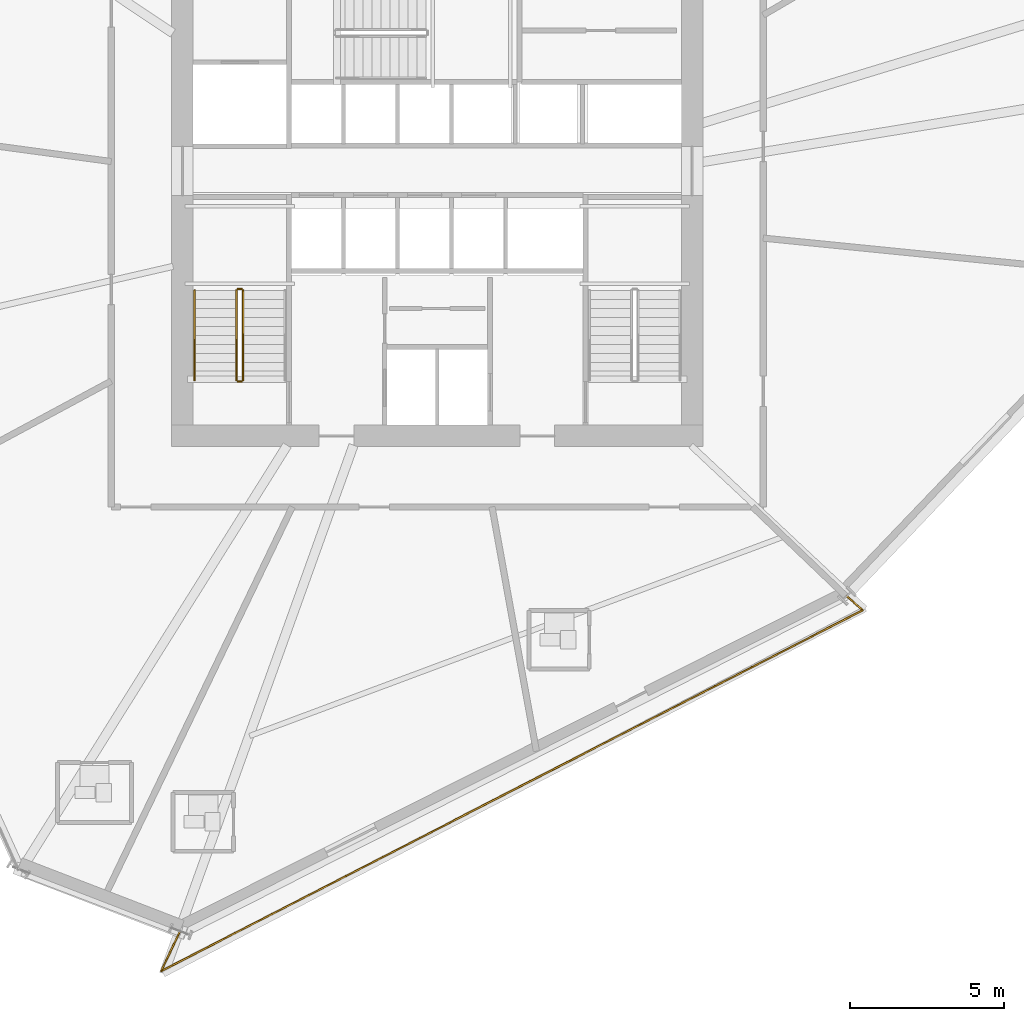
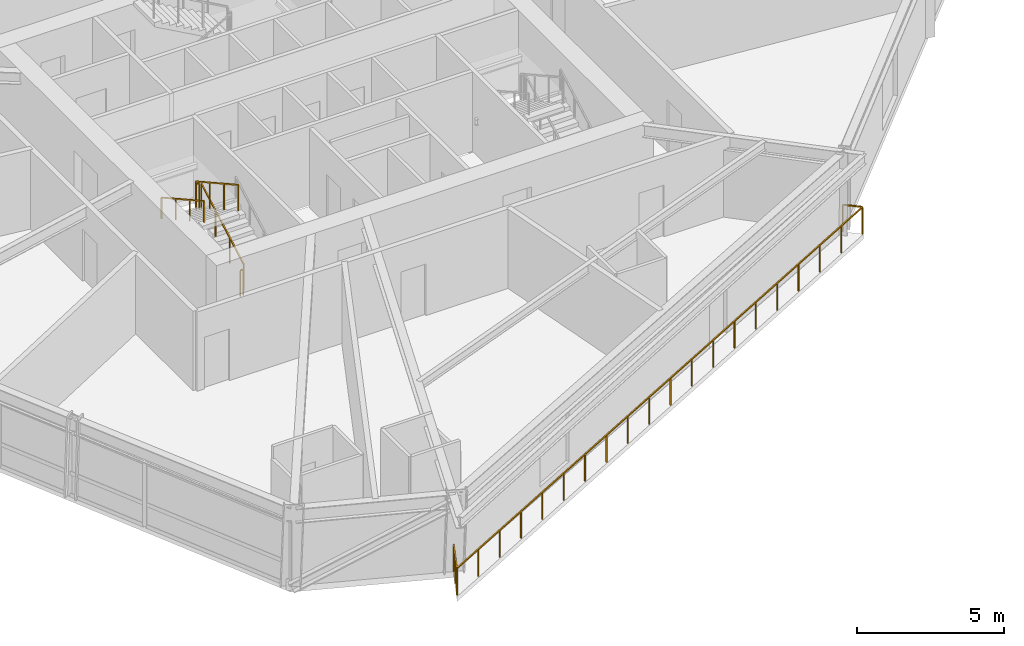
# One storey, part 18 of 22: 6 railings.
"""IFC4 building model written with IfcOpenShell, lengths in metres."""

import ifcopenshell
import ifcopenshell.guid

model = None  # the IFC model being written
_history = None  # IfcOwnerHistory: only IFC2X3 demands one
_inside = {}  # id of a spatial element -> (the spatial element, [elements in it])
_under = {}  # id of a project, library or spatial element -> (it, [spatial elements below it])
_declared = {}  # id of a project -> (the project, [libraries it declares])
_typed = {}  # id of a type object -> (the type object, [elements of that type])
_made_of = {}  # id of a material, layer set ... -> (it, [elements and type objects made of it])


def new_model(schema):
    """Start an empty IFC model of exactly this schema.

    Asked for "IFC4X3", IfcOpenShell would pick the latest addendum, in which some entities
    have other attributes; the version numbers below select the first issue.
    IFC2X3 requires an IfcOwnerHistory on every rooted entity: one is made here for all.
    """
    global model, _history
    if schema == "IFC4X3":
        model = ifcopenshell.file(schema_version=(4, 3, 0, 0))
    else:
        model = ifcopenshell.file(schema=schema)
    _inside.clear()
    _under.clear()
    _declared.clear()
    _typed.clear()
    _made_of.clear()
    _history = None
    if model.schema == "IFC2X3":
        org = make("IfcOrganization", Name="unknown")
        user = make(
            "IfcPersonAndOrganization",
            ThePerson=make("IfcPerson", FamilyName="unknown"),
            TheOrganization=org,
        )
        app = make(
            "IfcApplication",
            ApplicationDeveloper=org,
            Version="unknown",
            ApplicationFullName="unknown",
            ApplicationIdentifier="unknown",
        )
        _history = make(
            "IfcOwnerHistory",
            OwningUser=user,
            OwningApplication=app,
            ChangeAction="ADDED",
            CreationDate=0,
        )
    return model


def make(cls, **values):
    """One entity of the class cls with the attributes given. An attribute that is None is left unset."""
    return model.create_entity(
        cls, **{name: value for name, value in values.items() if value is not None}
    )


def rooted(cls, **values):
    """An entity with a GlobalId (a new one), such as an element, a storey or a relation."""
    return make(cls, GlobalId=ifcopenshell.guid.new(), OwnerHistory=_history, **values)


def si_unit(unit_type, name, prefix=None):
    """IfcSIUnit, for example si_unit("LENGTHUNIT", "METRE", prefix="MILLI")."""
    return make("IfcSIUnit", UnitType=unit_type, Prefix=prefix, Name=name)


def assignment(units):
    """IfcUnitAssignment: the units of a project."""
    return None if units is None else make("IfcUnitAssignment", Units=units)


def point(xyz):
    """IfcCartesianPoint."""
    return None if xyz is None else make("IfcCartesianPoint", Coordinates=xyz)


def direction(xyz):
    """IfcDirection."""
    return None if xyz is None else make("IfcDirection", DirectionRatios=xyz)


def frame(location, z_axis=None, x_axis=None):
    """IfcAxis2Placement3D, a coordinate frame: its origin and axes. An axis left out is left unset."""
    return make(
        "IfcAxis2Placement3D",
        Location=point(location),
        Axis=direction(z_axis),
        RefDirection=direction(x_axis),
    )


def frame_2d(location, x_axis=None):
    """IfcAxis2Placement2D, a coordinate frame in the plane: its origin and x axis."""
    return make(
        "IfcAxis2Placement2D", Location=point(location), RefDirection=direction(x_axis)
    )


def origin():
    """The frame at (0, 0, 0) with its axes left unset."""
    return frame((0.0, 0.0, 0.0))


def origin_2d():
    """The frame at (0, 0) in the plane with its x axis left unset."""
    return frame_2d((0.0, 0.0))


def place(relative_to, where):
    """IfcLocalPlacement: puts the frame where relative to a parent placement (None: the world)."""
    return make(
        "IfcLocalPlacement", PlacementRelTo=relative_to, RelativePlacement=where
    )


def context(
    kind, dimensions, precision=None, world=None, true_north=None, identifier=None
):
    """IfcGeometricRepresentationContext, for example the 3D "Model" context."""
    return make(
        "IfcGeometricRepresentationContext",
        ContextIdentifier=identifier,
        ContextType=kind,
        CoordinateSpaceDimension=dimensions,
        Precision=precision,
        WorldCoordinateSystem=world,
        TrueNorth=true_north,
    )


def subcontext(parent, identifier, kind, view, scale=None):
    """IfcGeometricRepresentationSubContext, for example "Body" below "Model"."""
    return make(
        "IfcGeometricRepresentationSubContext",
        ContextIdentifier=identifier,
        ContextType=kind,
        ParentContext=parent,
        TargetScale=scale,
        TargetView=view,
    )


def project(units=None, contexts=None):
    """IfcProject with its units and contexts."""
    return rooted(
        "IfcProject",
        Name="project",
        RepresentationContexts=contexts,
        UnitsInContext=assignment(units),
    )


def spatial(cls, under=None, at=None, **own):
    """A site, building, storey or space (cls), placed at a placement, below another one or the project."""
    s = rooted(cls, ObjectPlacement=at, **own)
    if under is not None:
        _under.setdefault(under.id(), (under, []))[1].append(s)
    return s


def profile(cls, at=None, kind="AREA", **sizes):
    """A parametric profile (cls). Its sizes go by their IFC names, for example OverallWidth=200.0."""
    return make(cls, ProfileType=kind, Position=at, **sizes)


def rectangle(**sizes):
    """IfcRectangleProfileDef."""
    return profile("IfcRectangleProfileDef", **sizes)


def extrude(swept, where, along, depth):
    """IfcExtrudedAreaSolid: the profile swept, set in the frame where, extruded along a direction by depth."""
    return make(
        "IfcExtrudedAreaSolid",
        SweptArea=swept,
        Position=where,
        ExtrudedDirection=direction(along),
        Depth=depth,
    )


def shape(context_of_items, identifier, shape_type, items):
    """IfcShapeRepresentation: the items that make up one representation, for example the "Body"."""
    return make(
        "IfcShapeRepresentation",
        ContextOfItems=context_of_items,
        RepresentationIdentifier=identifier,
        RepresentationType=shape_type,
        Items=items,
    )


def material(Name=None, Category=None):
    """IfcMaterial."""
    return make("IfcMaterial", Name=Name, Category=Category)


def made_of(thing, what):
    """Note that an element or type object is made of a material, layer set ...; save() writes the relation."""
    if what is not None:
        _made_of.setdefault(what.id(), (what, []))[1].append(thing)
    return thing


def type_object(cls, material=None, **own):
    """A type object (cls), such as IfcWallType, which elements share."""
    return made_of(rooted(cls, **own), material)


def element(
    cls,
    number,
    at=None,
    inside=None,
    cuts=None,
    type_object=None,
    material=None,
    context=None,
    identifier="Body",
    shape_type=None,
    held_by="IfcProductDefinitionShape",
    body=None,
    shapes=None,
    **own,
):
    """One element of the class cls, such as IfcWall. Its Tag is "e" and its number.

    at: its placement. inside: the storey or other place that contains it. cuts: it is an
    opening in that element (IfcRelVoidsElement). A single representation is given by context,
    identifier, shape_type and body (its items); several are given by shapes. held_by: the class
    of the entity that holds the representations. save() writes the other relations.
    """
    e = rooted(cls, Tag="e%d" % number, ObjectPlacement=at, **own)
    if body is not None:
        shapes = [shape(context, identifier, shape_type, body)]
    if shapes is not None:
        e.Representation = make(held_by, Representations=shapes)
    if inside is not None:
        _inside.setdefault(inside.id(), (inside, []))[1].append(e)
    if cuts is not None:
        rooted(
            "IfcRelVoidsElement", RelatingBuildingElement=cuts, RelatedOpeningElement=e
        )
    if type_object is not None:
        _typed.setdefault(type_object.id(), (type_object, []))[1].append(e)
    return made_of(e, material)


def aggregate(whole, parts):
    """IfcRelAggregates: a whole, such as a stair, and the parts it consists of."""
    return rooted("IfcRelAggregates", RelatingObject=whole, RelatedObjects=parts)


def save(model, path):
    """Write the relations noted so far, then the file.

    IfcRelAggregates (storeys below a building ...), IfcRelContainedInSpatialStructure (elements
    in a storey), IfcRelDefinesByType, IfcRelAssociatesMaterial and IfcRelDeclares: one each for
    every whole, place, type object, material and project.
    """
    for whole, parts in _under.values():
        aggregate(whole, parts)
    for where, things in _inside.values():
        rooted(
            "IfcRelContainedInSpatialStructure",
            RelatedElements=things,
            RelatingStructure=where,
        )
    for kind, things in _typed.values():
        rooted("IfcRelDefinesByType", RelatedObjects=things, RelatingType=kind)
    for what, things in _made_of.values():
        rooted("IfcRelAssociatesMaterial", RelatedObjects=things, RelatingMaterial=what)
    for by, libraries in _declared.values():
        rooted("IfcRelDeclares", RelatingContext=by, RelatedDefinitions=libraries)
    model.write(path)


model = new_model("IFC4")

# Units and contexts
model_context = context("Model", 3, precision=1e-05, world=origin(), true_north=direction((0.0, 1.0)))
body_context = subcontext(model_context, "Body", "Model", "MODEL_VIEW")
ifc_project = project(units=[si_unit("LENGTHUNIT", "METRE"), si_unit("AREAUNIT", "SQUARE_METRE"), si_unit("VOLUMEUNIT", "CUBIC_METRE"), si_unit("PLANEANGLEUNIT", "RADIAN"), si_unit("MASSUNIT", "GRAM", prefix="KILO")], contexts=[model_context])

# Site, building, storey
site_placement = place(None, origin())
site = spatial("IfcSite", under=ifc_project, at=site_placement, CompositionType="ELEMENT")
building_placement = place(site_placement, origin())
building = spatial("IfcBuilding", under=site, at=building_placement, Name="Olszyna Solenne Hotel", CompositionType="ELEMENT")
storey_placement = place(building_placement, frame((0.0, 0.0, 87.949951171875)))
storey = spatial("IfcBuildingStorey", under=building, at=storey_placement, Name="L22", CompositionType="ELEMENT", Elevation=87.949951171875)

# Railings
ifc_material_1 = material(Name="Anodised bronze aluminium", Category="aluminium")
railing_type_1 = type_object("IfcRailingType", Name="GR-110", PredefinedType="BALUSTRADE", material=ifc_material_1)
railing_1_placement = place(storey_placement, frame((29.672119140625, 3.110595703125, 0.0)))
element("IfcRailing", 1, at=railing_1_placement, inside=storey, type_object=railing_type_1, Name="Loggia balcony balustrade guard GR-L22-LG3", PredefinedType="BALUSTRADE", context=body_context, shape_type="SweptSolid", body=[
    extrude(rectangle(XDim=0.048095703125, YDim=0.048095703125, at=origin_2d()), frame((0.0, 0.0, 1.1259765625), z_axis=(-0.426302556955, -0.904580637607, 0.0), x_axis=(0.904580637607, -0.426302556955, 0.0)), (0.0, 0.0, 1.0), 1.41845703125),
    extrude(rectangle(XDim=0.048095703125, YDim=0.048095703125, at=origin_2d()), frame((-0.604736328125, -1.283203125, 1.1259765625), z_axis=(0.889227458254, 0.457465329272, 0.0), x_axis=(-0.457465329272, 0.889227458254, 0.0)), (0.0, 0.0, 1.0), 25.53173828125),
    extrude(rectangle(XDim=0.048095703125, YDim=0.048095703125, at=origin_2d()), frame((22.098876953125, 10.396728515625, 1.1259765625), z_axis=(-0.756249533819, 0.65428330454, 0.0), x_axis=(-0.65428330454, -0.756249533819, 0.0)), (0.0, 0.0, 1.0), 0.689453125),
    extrude(rectangle(XDim=0.0419921875, YDim=0.0419921875, at=origin_2d()), origin(), (0.0, 0.0, 1.0), 1.101806640625),
    extrude(rectangle(XDim=0.0419921875, YDim=0.0419921875, at=origin_2d()), frame((-0.30224609375, -0.6416015625, 0.0)), (0.0, 0.0, 1.0), 1.101806640625),
    extrude(rectangle(XDim=0.0419921875, YDim=0.0419921875, at=origin_2d()), frame((-0.604736328125, -1.283203125, 0.0)), (0.0, 0.0, 1.0), 1.101806640625),
    extrude(rectangle(XDim=0.0419921875, YDim=0.0419921875, at=origin_2d()), frame((0.590087890625, -0.66845703125, 0.0)), (0.0, 0.0, 1.0), 1.101806640625),
    extrude(rectangle(XDim=0.0419921875, YDim=0.0419921875, at=origin_2d()), frame((1.78515625, -0.0537109375, 0.0)), (0.0, 0.0, 1.0), 1.101806640625),
    extrude(rectangle(XDim=0.0419921875, YDim=0.0419921875, at=origin_2d()), frame((2.97998046875, 0.56103515625, 0.0)), (0.0, 0.0, 1.0), 1.101806640625),
    extrude(rectangle(XDim=0.0419921875, YDim=0.0419921875, at=origin_2d()), frame((4.175048828125, 1.17578125, 0.0)), (0.0, 0.0, 1.0), 1.101806640625),
    extrude(rectangle(XDim=0.0419921875, YDim=0.0419921875, at=origin_2d()), frame((5.369873046875, 1.79052734375, 0.0)), (0.0, 0.0, 1.0), 1.101806640625),
    extrude(rectangle(XDim=0.0419921875, YDim=0.0419921875, at=origin_2d()), frame((6.56494140625, 2.4052734375, 0.0)), (0.0, 0.0, 1.0), 1.101806640625),
    extrude(rectangle(XDim=0.0419921875, YDim=0.0419921875, at=origin_2d()), frame((7.759765625, 3.02001953125, 0.0)), (0.0, 0.0, 1.0), 1.101806640625),
    extrude(rectangle(XDim=0.0419921875, YDim=0.0419921875, at=origin_2d()), frame((8.95458984375, 3.634765625, 0.0)), (0.0, 0.0, 1.0), 1.101806640625),
    extrude(rectangle(XDim=0.0419921875, YDim=0.0419921875, at=origin_2d()), frame((10.149658203125, 4.24951171875, 0.0)), (0.0, 0.0, 1.0), 1.101806640625),
    extrude(rectangle(XDim=0.0419921875, YDim=0.0419921875, at=origin_2d()), frame((11.344482421875, 4.864013671875, 0.0)), (0.0, 0.0, 1.0), 1.101806640625),
    extrude(rectangle(XDim=0.0419921875, YDim=0.0419921875, at=origin_2d()), frame((12.53955078125, 5.478759765625, 0.0)), (0.0, 0.0, 1.0), 1.101806640625),
    extrude(rectangle(XDim=0.0419921875, YDim=0.0419921875, at=origin_2d()), frame((13.734375, 6.093505859375, 0.0)), (0.0, 0.0, 1.0), 1.101806640625),
    extrude(rectangle(XDim=0.0419921875, YDim=0.0419921875, at=origin_2d()), frame((14.92919921875, 6.708251953125, 0.0)), (0.0, 0.0, 1.0), 1.101806640625),
    extrude(rectangle(XDim=0.0419921875, YDim=0.0419921875, at=origin_2d()), frame((16.124267578125, 7.322998046875, 0.0)), (0.0, 0.0, 1.0), 1.101806640625),
    extrude(rectangle(XDim=0.0419921875, YDim=0.0419921875, at=origin_2d()), frame((17.319091796875, 7.937744140625, 0.0)), (0.0, 0.0, 1.0), 1.101806640625),
    extrude(rectangle(XDim=0.0419921875, YDim=0.0419921875, at=origin_2d()), frame((18.51416015625, 8.552490234375, 0.0)), (0.0, 0.0, 1.0), 1.101806640625),
    extrude(rectangle(XDim=0.0419921875, YDim=0.0419921875, at=origin_2d()), frame((19.708984375, 9.167236328125, 0.0)), (0.0, 0.0, 1.0), 1.101806640625),
    extrude(rectangle(XDim=0.0419921875, YDim=0.0419921875, at=origin_2d()), frame((20.904052734375, 9.781982421875, 0.0)), (0.0, 0.0, 1.0), 1.101806640625),
    extrude(rectangle(XDim=0.0419921875, YDim=0.0419921875, at=origin_2d()), frame((22.098876953125, 10.396728515625, 0.0)), (0.0, 0.0, 1.0), 1.101806640625),
    extrude(rectangle(XDim=0.0419921875, YDim=0.0419921875, at=origin_2d()), frame((21.577392578125, 10.847900390625, 0.0)), (0.0, 0.0, 1.0), 1.101806640625),
])
railing_2_placement = place(storey_placement, frame((31.719970703125, 20.949951171875, 0.161376953125)))
element("IfcRailing", 2, at=railing_2_placement, inside=storey, type_object=railing_type_1, Name="L22 ST1 stair guard 1", PredefinedType="BALUSTRADE", context=body_context, shape_type="SweptSolid", body=[
    extrude(rectangle(XDim=0.048095703125, YDim=0.048095703125, at=origin_2d()), frame((0.0, 0.0, 1.076171875), z_axis=(0.0, 0.873827439584, 0.48623616261), x_axis=(-1.0, 0.0, 0.0)), (0.0, 0.0, 1.0), 3.31884765625),
    extrude(rectangle(XDim=0.0419921875, YDim=0.0419921875, at=origin_2d()), origin(), (0.0, 0.0, 1.0), 1.052001953125),
    extrude(rectangle(XDim=0.0419921875, YDim=0.0419921875, at=origin_2d()), frame((0.0, 0.966796875, 0.537841796875)), (0.0, 0.0, 1.0), 1.052001953125),
    extrude(rectangle(XDim=0.0419921875, YDim=0.0419921875, at=origin_2d()), frame((0.0, 1.933349609375, 1.075927734375)), (0.0, 0.0, 1.0), 1.052001953125),
    extrude(rectangle(XDim=0.0419921875, YDim=0.0419921875, at=origin_2d()), frame((0.0, 2.900146484375, 1.61376953125)), (0.0, 0.0, 1.0), 1.052001953125),
])
railing_3_placement = place(storey_placement, frame((31.669921875, 23.89990234375, 1.775146484375)))
element("IfcRailing", 3, at=railing_3_placement, inside=storey, type_object=railing_type_1, Name="L22 ST1 stair guard 2", PredefinedType="BALUSTRADE", context=body_context, shape_type="SweptSolid", body=[
    extrude(rectangle(XDim=0.048095703125, YDim=0.048095703125, at=origin_2d()), frame((0.0, 0.0, 1.076171875), z_axis=(-1.0, 0.0, 0.0), x_axis=(0.0, -1.0, 0.0)), (0.0, 0.0, 1.0), 0.119873046875),
    extrude(rectangle(XDim=0.0419921875, YDim=0.0419921875, at=origin_2d()), origin(), (0.0, 0.0, 1.0), 1.052001953125),
    extrude(rectangle(XDim=0.0419921875, YDim=0.0419921875, at=origin_2d()), frame((-0.119873046875, 0.0, 0.0)), (0.0, 0.0, 1.0), 1.052001953125),
])
railing_4_placement = place(storey_placement, frame((31.5, 23.85009765625, 1.9365234375)))
element("IfcRailing", 4, at=railing_4_placement, inside=storey, type_object=railing_type_1, Name="L22 ST1 stair guard 3", PredefinedType="BALUSTRADE", context=body_context, shape_type="SweptSolid", body=[
    extrude(rectangle(XDim=0.048095703125, YDim=0.048095703125, at=origin_2d()), frame((0.0, 0.0, 1.076171875), z_axis=(0.0, -0.873858693841, 0.486179990537), x_axis=(1.0, 0.0, 0.0)), (0.0, 0.0, 1.0), 3.31884765625),
    extrude(rectangle(XDim=0.0419921875, YDim=0.0419921875, at=origin_2d()), origin(), (0.0, 0.0, 1.0), 1.052001953125),
    extrude(rectangle(XDim=0.0419921875, YDim=0.0419921875, at=origin_2d()), frame((0.0, -0.966796875, 0.537841796875)), (0.0, 0.0, 1.0), 1.052001953125),
    extrude(rectangle(XDim=0.0419921875, YDim=0.0419921875, at=origin_2d()), frame((0.0, -1.933349609375, 1.07568359375)), (0.0, 0.0, 1.0), 1.052001953125),
    extrude(rectangle(XDim=0.0419921875, YDim=0.0419921875, at=origin_2d()), frame((0.0, -2.900146484375, 1.613525390625)), (0.0, 0.0, 1.0), 1.052001953125),
])
railing_5_placement = place(storey_placement, frame((31.669921875, 20.89990234375, 0.0)))
element("IfcRailing", 5, at=railing_5_placement, inside=storey, type_object=railing_type_1, Name="L22 ST1 stair guard 4", PredefinedType="BALUSTRADE", context=body_context, shape_type="SweptSolid", body=[
    extrude(rectangle(XDim=0.048095703125, YDim=0.048095703125, at=origin_2d()), frame((0.0, 0.0, 1.076171875), z_axis=(-1.0, 0.0, 0.0), x_axis=(0.0, -1.0, 0.0)), (0.0, 0.0, 1.0), 0.119873046875),
    extrude(rectangle(XDim=0.0419921875, YDim=0.0419921875, at=origin_2d()), origin(), (0.0, 0.0, 1.0), 1.052001953125),
    extrude(rectangle(XDim=0.0419921875, YDim=0.0419921875, at=origin_2d()), frame((-0.119873046875, 0.0, 0.0)), (0.0, 0.0, 1.0), 1.052001953125),
])
ifc_material_2 = material(Name="Steel S355J2", Category="steel")
railing_type_2 = type_object("IfcRailingType", Name="HR-090", PredefinedType="HANDRAIL", material=ifc_material_2)
railing_6_placement = place(storey_placement, frame((30.14990234375, 23.85009765625, 1.9365234375)))
element("IfcRailing", 6, at=railing_6_placement, inside=storey, type_object=railing_type_2, Name="L22 ST1 stair handrail 2", PredefinedType="HANDRAIL", context=body_context, shape_type="SweptSolid", body=[
    extrude(rectangle(XDim=0.048095703125, YDim=0.048095703125, at=origin_2d()), frame((0.0, 0.0, 0.8759765625), z_axis=(0.0, -0.873858693841, 0.486179990537), x_axis=(1.0, 0.0, 0.0)), (0.0, 0.0, 1.0), 3.31884765625),
    extrude(rectangle(XDim=0.0419921875, YDim=0.0419921875, at=origin_2d()), origin(), (0.0, 0.0, 1.0), 0.851806640625),
    extrude(rectangle(XDim=0.0419921875, YDim=0.0419921875, at=origin_2d()), frame((0.0, -0.966796875, 0.537841796875)), (0.0, 0.0, 1.0), 0.851806640625),
    extrude(rectangle(XDim=0.0419921875, YDim=0.0419921875, at=origin_2d()), frame((0.0, -1.933349609375, 1.07568359375)), (0.0, 0.0, 1.0), 0.851806640625),
    extrude(rectangle(XDim=0.0419921875, YDim=0.0419921875, at=origin_2d()), frame((0.0, -2.900146484375, 1.613525390625)), (0.0, 0.0, 1.0), 0.851806640625),
])

save(model, "model.ifc")
